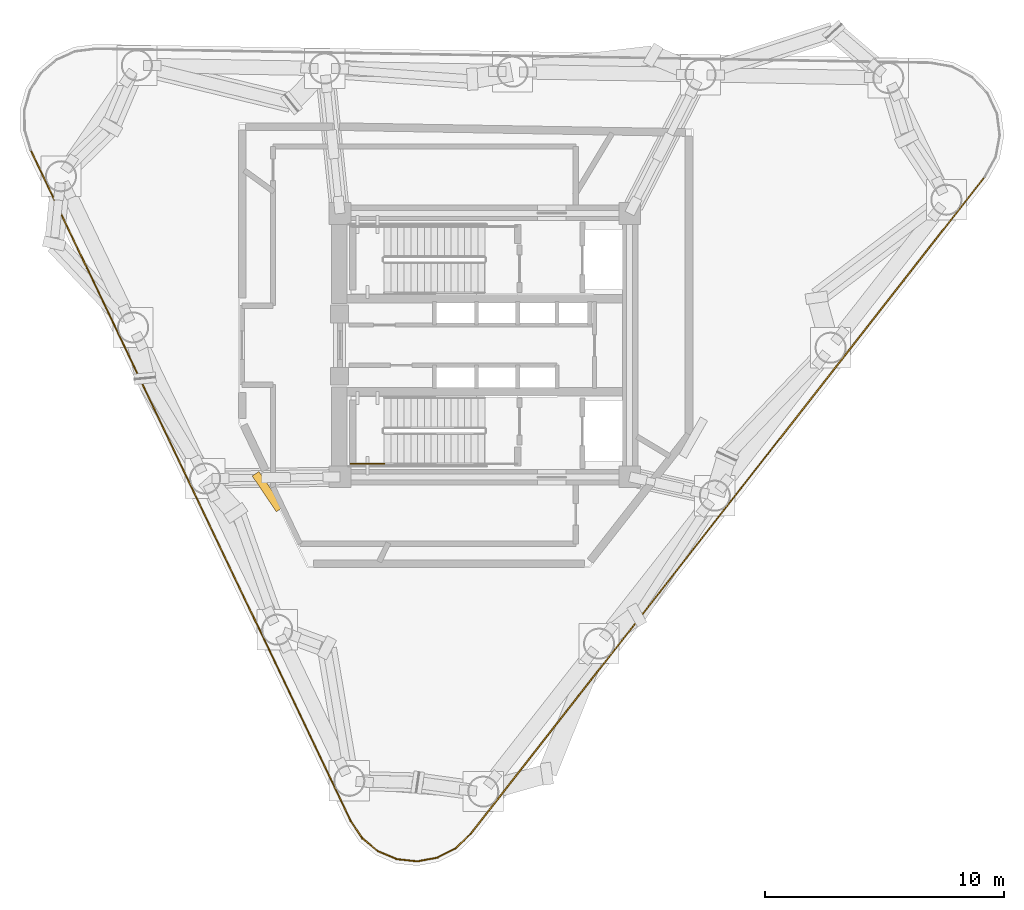
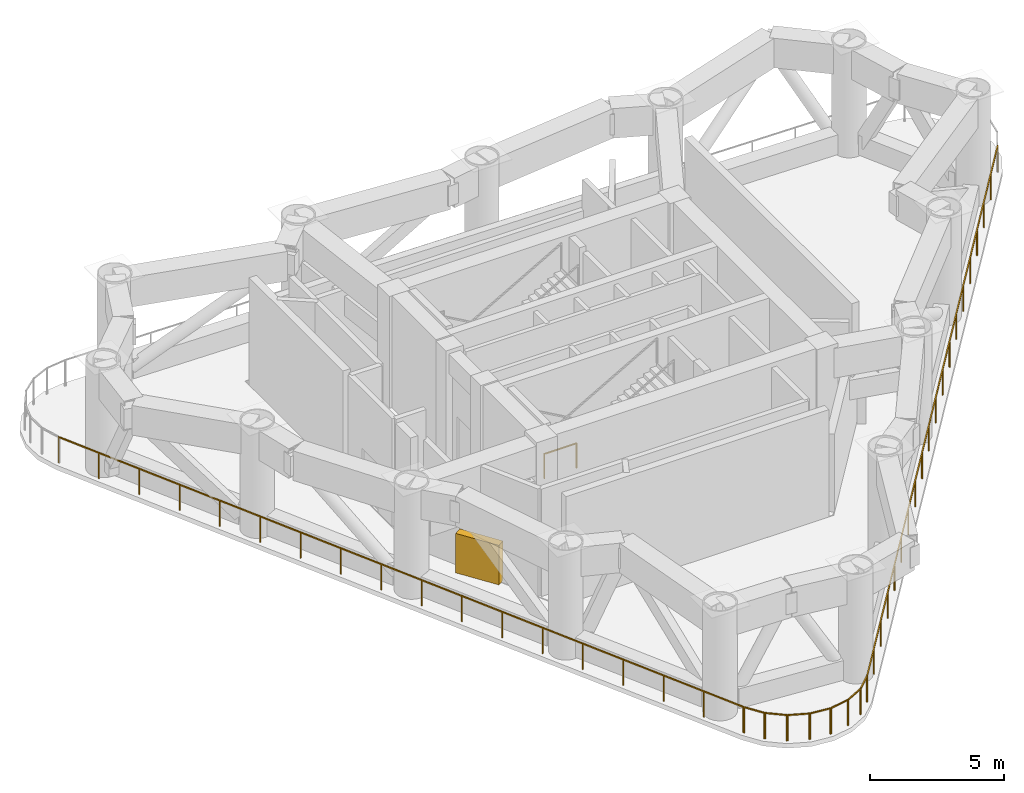
# One storey, part 6 of 9: 10 railings, 1 shading device.
"""IFC4 building model written with IfcOpenShell, lengths in metres."""

from ifc_helpers import new_model, si_unit, direction, frame, origin, origin_2d, place, context, subcontext, project, spatial, rectangle, extrude, source, transform, mapped, material, layer, layer_set, type_object, element, save


model = new_model("IFC4")

# Units and contexts
model_context = context("Model", 3, precision=1e-05, world=origin(), true_north=direction((0.0, 1.0)))
body_context = subcontext(model_context, "Body", "Model", "MODEL_VIEW")
ifc_project = project(units=[si_unit("LENGTHUNIT", "METRE"), si_unit("AREAUNIT", "SQUARE_METRE"), si_unit("VOLUMEUNIT", "CUBIC_METRE"), si_unit("PLANEANGLEUNIT", "RADIAN"), si_unit("MASSUNIT", "GRAM", prefix="KILO")], contexts=[model_context])

# Site, building, storey
site_placement = place(None, origin())
site = spatial("IfcSite", under=ifc_project, at=site_placement, CompositionType="ELEMENT")
building_placement = place(site_placement, origin())
building = spatial("IfcBuilding", under=site, at=building_placement, Name="Yunling Apex Tower", CompositionType="ELEMENT")
storey_placement = place(building_placement, frame((0.0, 0.0, 153.64990234375)))
storey = spatial("IfcBuildingStorey", under=building, at=storey_placement, Name="RF4", CompositionType="ELEMENT", Elevation=153.64990234375)

# Railings
ifc_material_1 = material(Name="Bronze anodised aluminium", Category="aluminium")
railing_type_1 = type_object("IfcRailingType", Name="RL-BAL-1200", PredefinedType="BALUSTRADE", material=ifc_material_1)
railing_1_placement = place(storey_placement, frame((-5.596435546875, -19.895263671875, 0.0)))
element("IfcRailing", 1, at=railing_1_placement, inside=storey, type_object=railing_type_1, Name="RL-REF-RF4-01", PredefinedType="BALUSTRADE", context=body_context, shape_type="SweptSolid", body=[
    extrude(rectangle(XDim=0.0439453125, YDim=0.0439453125, at=origin_2d()), origin(), (0.0, 0.0, 1.0), 1.199951171875),
    extrude(rectangle(XDim=0.0439453125, YDim=0.0439453125, at=origin_2d()), frame((-13.386962890625, 28.06640625, 0.0)), (0.0, 0.0, 1.0), 1.199951171875),
    extrude(rectangle(XDim=0.050048828125, YDim=0.050048828125, at=origin_2d()), frame((-0.0166015625, 0.03466796875, 1.1748046875), z_axis=(-0.430510410892, 0.902585611515, 0.0), x_axis=(-0.902585611515, -0.430510410892, 0.0)), (0.0, 0.0, 1.0), 31.018798828125),
    extrude(rectangle(XDim=0.0439453125, YDim=0.0439453125, at=origin_2d()), frame((-0.787353515625, 1.65087890625, 0.0)), (0.0, 0.0, 1.0), 1.14599609375),
    extrude(rectangle(XDim=0.0439453125, YDim=0.0439453125, at=origin_2d()), frame((-1.574951171875, 3.302001953125, 0.0)), (0.0, 0.0, 1.0), 1.14599609375),
    extrude(rectangle(XDim=0.0439453125, YDim=0.0439453125, at=origin_2d()), frame((-2.3623046875, 4.952880859375, 0.0)), (0.0, 0.0, 1.0), 1.14599609375),
    extrude(rectangle(XDim=0.0439453125, YDim=0.0439453125, at=origin_2d()), frame((-3.14990234375, 6.603759765625, 0.0)), (0.0, 0.0, 1.0), 1.14599609375),
    extrude(rectangle(XDim=0.0439453125, YDim=0.0439453125, at=origin_2d()), frame((-3.937255859375, 8.2548828125, 0.0)), (0.0, 0.0, 1.0), 1.14599609375),
    extrude(rectangle(XDim=0.0439453125, YDim=0.0439453125, at=origin_2d()), frame((-4.724853515625, 9.90576171875, 0.0)), (0.0, 0.0, 1.0), 1.14599609375),
    extrude(rectangle(XDim=0.0439453125, YDim=0.0439453125, at=origin_2d()), frame((-5.51220703125, 11.556640625, 0.0)), (0.0, 0.0, 1.0), 1.14599609375),
    extrude(rectangle(XDim=0.0439453125, YDim=0.0439453125, at=origin_2d()), frame((-6.2998046875, 13.207763671875, 0.0)), (0.0, 0.0, 1.0), 1.14599609375),
    extrude(rectangle(XDim=0.0439453125, YDim=0.0439453125, at=origin_2d()), frame((-7.087158203125, 14.858642578125, 0.0)), (0.0, 0.0, 1.0), 1.14599609375),
    extrude(rectangle(XDim=0.0439453125, YDim=0.0439453125, at=origin_2d()), frame((-7.874755859375, 16.509765625, 0.0)), (0.0, 0.0, 1.0), 1.14599609375),
    extrude(rectangle(XDim=0.0439453125, YDim=0.0439453125, at=origin_2d()), frame((-8.662109375, 18.16064453125, 0.0)), (0.0, 0.0, 1.0), 1.14599609375),
    extrude(rectangle(XDim=0.0439453125, YDim=0.0439453125, at=origin_2d()), frame((-9.44970703125, 19.8115234375, 0.0)), (0.0, 0.0, 1.0), 1.14599609375),
    extrude(rectangle(XDim=0.0439453125, YDim=0.0439453125, at=origin_2d()), frame((-10.237060546875, 21.462646484375, 0.0)), (0.0, 0.0, 1.0), 1.14599609375),
    extrude(rectangle(XDim=0.0439453125, YDim=0.0439453125, at=origin_2d()), frame((-11.024658203125, 23.113525390625, 0.0)), (0.0, 0.0, 1.0), 1.14599609375),
    extrude(rectangle(XDim=0.0439453125, YDim=0.0439453125, at=origin_2d()), frame((-11.81201171875, 24.764404296875, 0.0)), (0.0, 0.0, 1.0), 1.14599609375),
    extrude(rectangle(XDim=0.0439453125, YDim=0.0439453125, at=origin_2d()), frame((-12.599609375, 26.41552734375, 0.0)), (0.0, 0.0, 1.0), 1.14599609375),
])
railing_2_placement = place(storey_placement, frame((20.88818359375, 7.03759765625, 0.0)))
element("IfcRailing", 2, at=railing_2_placement, inside=storey, type_object=railing_type_1, Name="RL-REF-RF4-17", PredefinedType="BALUSTRADE", context=body_context, shape_type="SweptSolid", body=[
    extrude(rectangle(XDim=0.0439453125, YDim=0.0439453125, at=origin_2d()), origin(), (0.0, 0.0, 1.0), 1.199951171875),
    extrude(rectangle(XDim=0.0439453125, YDim=0.0439453125, at=origin_2d()), frame((-21.50048828125, -27.48046875, 0.0)), (0.0, 0.0, 1.0), 1.199951171875),
    extrude(rectangle(XDim=0.050048828125, YDim=0.050048828125, at=origin_2d()), frame((-0.023681640625, -0.0302734375, 1.1748046875), z_axis=(-0.616202225742, -0.787587974128, 0.0), x_axis=(0.787587974128, -0.616202225742, 0.0)), (0.0, 0.0, 1.0), 34.815185546875),
    extrude(rectangle(XDim=0.0439453125, YDim=0.0439453125, at=origin_2d()), frame((-1.131591796875, -1.4462890625, 0.0)), (0.0, 0.0, 1.0), 1.14599609375),
    extrude(rectangle(XDim=0.0439453125, YDim=0.0439453125, at=origin_2d()), frame((-2.26318359375, -2.892578125, 0.0)), (0.0, 0.0, 1.0), 1.14599609375),
    extrude(rectangle(XDim=0.0439453125, YDim=0.0439453125, at=origin_2d()), frame((-3.394775390625, -4.339111328125, 0.0)), (0.0, 0.0, 1.0), 1.14599609375),
    extrude(rectangle(XDim=0.0439453125, YDim=0.0439453125, at=origin_2d()), frame((-4.5263671875, -5.785400390625, 0.0)), (0.0, 0.0, 1.0), 1.14599609375),
    extrude(rectangle(XDim=0.0439453125, YDim=0.0439453125, at=origin_2d()), frame((-5.657958984375, -7.231689453125, 0.0)), (0.0, 0.0, 1.0), 1.14599609375),
    extrude(rectangle(XDim=0.0439453125, YDim=0.0439453125, at=origin_2d()), frame((-6.78955078125, -8.677978515625, 0.0)), (0.0, 0.0, 1.0), 1.14599609375),
    extrude(rectangle(XDim=0.0439453125, YDim=0.0439453125, at=origin_2d()), frame((-7.921142578125, -10.124267578125, 0.0)), (0.0, 0.0, 1.0), 1.14599609375),
    extrude(rectangle(XDim=0.0439453125, YDim=0.0439453125, at=origin_2d()), frame((-9.052734375, -11.57080078125, 0.0)), (0.0, 0.0, 1.0), 1.14599609375),
    extrude(rectangle(XDim=0.0439453125, YDim=0.0439453125, at=origin_2d()), frame((-10.184326171875, -13.01708984375, 0.0)), (0.0, 0.0, 1.0), 1.14599609375),
    extrude(rectangle(XDim=0.0439453125, YDim=0.0439453125, at=origin_2d()), frame((-11.316162109375, -14.46337890625, 0.0)), (0.0, 0.0, 1.0), 1.14599609375),
    extrude(rectangle(XDim=0.0439453125, YDim=0.0439453125, at=origin_2d()), frame((-12.44775390625, -15.90966796875, 0.0)), (0.0, 0.0, 1.0), 1.14599609375),
    extrude(rectangle(XDim=0.0439453125, YDim=0.0439453125, at=origin_2d()), frame((-13.579345703125, -17.356201171875, 0.0)), (0.0, 0.0, 1.0), 1.14599609375),
    extrude(rectangle(XDim=0.0439453125, YDim=0.0439453125, at=origin_2d()), frame((-14.7109375, -18.802490234375, 0.0)), (0.0, 0.0, 1.0), 1.14599609375),
    extrude(rectangle(XDim=0.0439453125, YDim=0.0439453125, at=origin_2d()), frame((-15.842529296875, -20.248779296875, 0.0)), (0.0, 0.0, 1.0), 1.14599609375),
    extrude(rectangle(XDim=0.0439453125, YDim=0.0439453125, at=origin_2d()), frame((-16.97412109375, -21.695068359375, 0.0)), (0.0, 0.0, 1.0), 1.14599609375),
    extrude(rectangle(XDim=0.0439453125, YDim=0.0439453125, at=origin_2d()), frame((-18.105712890625, -23.141357421875, 0.0)), (0.0, 0.0, 1.0), 1.14599609375),
    extrude(rectangle(XDim=0.0439453125, YDim=0.0439453125, at=origin_2d()), frame((-19.2373046875, -24.587890625, 0.0)), (0.0, 0.0, 1.0), 1.14599609375),
    extrude(rectangle(XDim=0.0439453125, YDim=0.0439453125, at=origin_2d()), frame((-20.368896484375, -26.0341796875, 0.0)), (0.0, 0.0, 1.0), 1.14599609375),
])
railing_3_placement = place(storey_placement, frame((-0.59228515625, -20.420654296875, 0.0)))
element("IfcRailing", 3, at=railing_3_placement, inside=storey, type_object=railing_type_1, Name="RL-REF-RF4-18", PredefinedType="BALUSTRADE", context=body_context, shape_type="SweptSolid", body=[
    extrude(rectangle(XDim=0.0439453125, YDim=0.0439453125, at=origin_2d()), origin(), (0.0, 0.0, 1.0), 1.199951171875),
    extrude(rectangle(XDim=0.0439453125, YDim=0.0439453125, at=origin_2d()), frame((-0.648681640625, -0.618408203125, 0.0)), (0.0, 0.0, 1.0), 1.199951171875),
    extrude(rectangle(XDim=0.050048828125, YDim=0.050048828125, at=origin_2d()), frame((-0.02783203125, -0.0263671875, 1.1748046875), z_axis=(-0.723794494029, -0.690015601572, 0.0), x_axis=(0.690015601572, -0.723794494029, 0.0)), (0.0, 0.0, 1.0), 0.819580078125),
])
railing_4_placement = place(storey_placement, frame((-1.216796875, -21.02197265625, 0.0)))
element("IfcRailing", 4, at=railing_4_placement, inside=storey, type_object=railing_type_1, Name="RL-REF-RF4-19", PredefinedType="BALUSTRADE", context=body_context, shape_type="SweptSolid", body=[
    extrude(rectangle(XDim=0.0439453125, YDim=0.0439453125, at=origin_2d()), origin(), (0.0, 0.0, 1.0), 1.199951171875),
    extrude(rectangle(XDim=0.0439453125, YDim=0.0439453125, at=origin_2d()), frame((-0.78662109375, -0.401123046875, 0.0)), (0.0, 0.0, 1.0), 1.199951171875),
    extrude(rectangle(XDim=0.050048828125, YDim=0.050048828125, at=origin_2d()), frame((-0.0341796875, -0.017333984375, 1.1748046875), z_axis=(-0.890860074234, -0.454277809425, 0.0), x_axis=(0.454277809425, -0.890860074234, 0.0)), (0.0, 0.0, 1.0), 0.806396484375),
])
railing_5_placement = place(storey_placement, frame((-1.975341796875, -21.41357421875, 0.0)))
element("IfcRailing", 5, at=railing_5_placement, inside=storey, type_object=railing_type_1, Name="RL-REF-RF4-20", PredefinedType="BALUSTRADE", context=body_context, shape_type="SweptSolid", body=[
    extrude(rectangle(XDim=0.0439453125, YDim=0.0439453125, at=origin_2d()), origin(), (0.0, 0.0, 1.0), 1.199951171875),
    extrude(rectangle(XDim=0.0439453125, YDim=0.0439453125, at=origin_2d()), frame((-0.86865234375, -0.158935546875, 0.0)), (0.0, 0.0, 1.0), 1.199951171875),
    extrude(rectangle(XDim=0.050048828125, YDim=0.050048828125, at=origin_2d()), frame((-0.03759765625, -0.0068359375, 1.1748046875), z_axis=(-0.983670244597, -0.179980137502, 0.0), x_axis=(0.179980137502, -0.983670244597, 0.0)), (0.0, 0.0, 1.0), 0.806396484375),
])
railing_6_placement = place(storey_placement, frame((-2.814208984375, -21.5712890625, 0.0)))
element("IfcRailing", 6, at=railing_6_placement, inside=storey, type_object=railing_type_1, Name="RL-REF-RF4-21", PredefinedType="BALUSTRADE", context=body_context, shape_type="SweptSolid", body=[
    extrude(rectangle(XDim=0.0439453125, YDim=0.0439453125, at=origin_2d()), origin(), (0.0, 0.0, 1.0), 1.199951171875),
    extrude(rectangle(XDim=0.0439453125, YDim=0.0439453125, at=origin_2d()), frame((-0.8779296875, 0.096435546875, 0.0)), (0.0, 0.0, 1.0), 1.199951171875),
    extrude(rectangle(XDim=0.050048828125, YDim=0.050048828125, at=origin_2d()), frame((-0.0380859375, 0.004150390625, 1.1748046875), z_axis=(-0.994021168323, 0.109187531003, 0.0), x_axis=(-0.109187531003, -0.994021168323, 0.0)), (0.0, 0.0, 1.0), 0.806640625),
])
railing_7_placement = place(storey_placement, frame((-3.663330078125, -21.482421875, 0.0)))
element("IfcRailing", 7, at=railing_7_placement, inside=storey, type_object=railing_type_1, Name="RL-REF-RF4-22", PredefinedType="BALUSTRADE", context=body_context, shape_type="SweptSolid", body=[
    extrude(rectangle(XDim=0.0439453125, YDim=0.0439453125, at=origin_2d()), origin(), (0.0, 0.0, 1.0), 1.199951171875),
    extrude(rectangle(XDim=0.0439453125, YDim=0.0439453125, at=origin_2d()), frame((-0.8134765625, 0.34375, 0.0)), (0.0, 0.0, 1.0), 1.199951171875),
    extrude(rectangle(XDim=0.050048828125, YDim=0.050048828125, at=origin_2d()), frame((-0.035400390625, 0.014892578125, 1.1748046875), z_axis=(-0.921135048054, 0.389243141554, 0.0), x_axis=(-0.389243141554, -0.921135048054, 0.0)), (0.0, 0.0, 1.0), 0.806396484375),
])
railing_8_placement = place(storey_placement, frame((-4.451416015625, -21.154052734375, 0.0)))
element("IfcRailing", 8, at=railing_8_placement, inside=storey, type_object=railing_type_1, Name="RL-REF-RF4-23", PredefinedType="BALUSTRADE", context=body_context, shape_type="SweptSolid", body=[
    extrude(rectangle(XDim=0.0439453125, YDim=0.0439453125, at=origin_2d()), origin(), (0.0, 0.0, 1.0), 1.199951171875),
    extrude(rectangle(XDim=0.0439453125, YDim=0.0439453125, at=origin_2d()), frame((-0.680908203125, 0.562255859375, 0.0)), (0.0, 0.0, 1.0), 1.199951171875),
    extrude(rectangle(XDim=0.050048828125, YDim=0.050048828125, at=origin_2d()), frame((-0.029541015625, 0.0244140625, 1.1748046875), z_axis=(-0.771091586133, 0.636724246276, 0.0), x_axis=(-0.636724246276, -0.771091586133, 0.0)), (0.0, 0.0, 1.0), 0.806396484375),
])
railing_9_placement = place(storey_placement, frame((-5.1123046875, -20.61376953125, 0.0)))
element("IfcRailing", 9, at=railing_9_placement, inside=storey, type_object=railing_type_1, Name="RL-REF-RF4-24", PredefinedType="BALUSTRADE", context=body_context, shape_type="SweptSolid", body=[
    extrude(rectangle(XDim=0.0439453125, YDim=0.0439453125, at=origin_2d()), origin(), (0.0, 0.0, 1.0), 1.199951171875),
    extrude(rectangle(XDim=0.0439453125, YDim=0.0439453125, at=origin_2d()), frame((-0.498779296875, 0.74462890625, 0.0)), (0.0, 0.0, 1.0), 1.199951171875),
    extrude(rectangle(XDim=0.050048828125, YDim=0.050048828125, at=origin_2d()), frame((-0.021240234375, 0.03173828125, 1.1748046875), z_axis=(-0.556521877865, 0.830832955207, 0.0), x_axis=(-0.830832955207, -0.556521877865, 0.0)), (0.0, 0.0, 1.0), 0.819580078125),
])
ifc_material_2 = material(Name="Steel Q355B", Category="steel")
railing_type_2 = type_object("IfcRailingType", Name="RL-GRD-1150", PredefinedType="GUARDRAIL", material=ifc_material_2)
railing_10_placement = place(storey_placement, frame((-4.2099609375, -4.9599609375, 2.550048828125)))
element("IfcRailing", 10, at=railing_10_placement, inside=storey, type_object=railing_type_2, Name="RF4 ST-2 stair guard 3", PredefinedType="GUARDRAIL", context=body_context, shape_type="SweptSolid", body=[
    extrude(rectangle(XDim=0.0439453125, YDim=0.0439453125, at=origin_2d()), origin(), (0.0, 0.0, 1.0), 1.14990234375),
    extrude(rectangle(XDim=0.0439453125, YDim=0.0439453125, at=origin_2d()), frame((-1.39013671875, 0.0, 0.0)), (0.0, 0.0, 1.0), 1.14990234375),
    extrude(rectangle(XDim=0.050048828125, YDim=0.050048828125, at=origin_2d()), frame((-0.038330078125, 0.0, 1.125), z_axis=(-1.0, 0.0, 0.0), x_axis=(0.0, -1.0, 0.0)), (0.0, 0.0, 1.0), 1.3134765625),
])

# Shading device
ifc_layer = layer(ifc_material_1, 0.1201171875)
ifc_layer_set = layer_set([ifc_layer], Name="Bronze anodised aluminium")
shading_device_type = type_object("IfcShadingDeviceType", Name="LV-BRZ-1", PredefinedType="USERDEFINED", material=ifc_layer_set)
shared_shape = source(origin(), body_context, "Body", "SweptSolid", [
    extrude(rectangle(XDim=1.800048828125, YDim=0.340087890625, at=origin_2d()), origin(), (0.0, 0.0, 1.0), 1.800048828125),
])
shading_device_placement = place(storey_placement, frame((-9.073486328125, -6.1201171875, 0.0), z_axis=(0.0, 0.0, 1.0), x_axis=(-0.559192903471, 0.829037572555, 0.0)))
element("IfcShadingDevice", 11, at=shading_device_placement, inside=storey, type_object=shading_device_type, Name="LV-REF-RF4-1", ObjectType="LOUVRE", PredefinedType="USERDEFINED", context=body_context, shape_type="MappedRepresentation", body=[
    mapped(shared_shape, transform((0.0, 0.0, 0.0), scale=1.0)),
])

save(model, "model.ifc")
